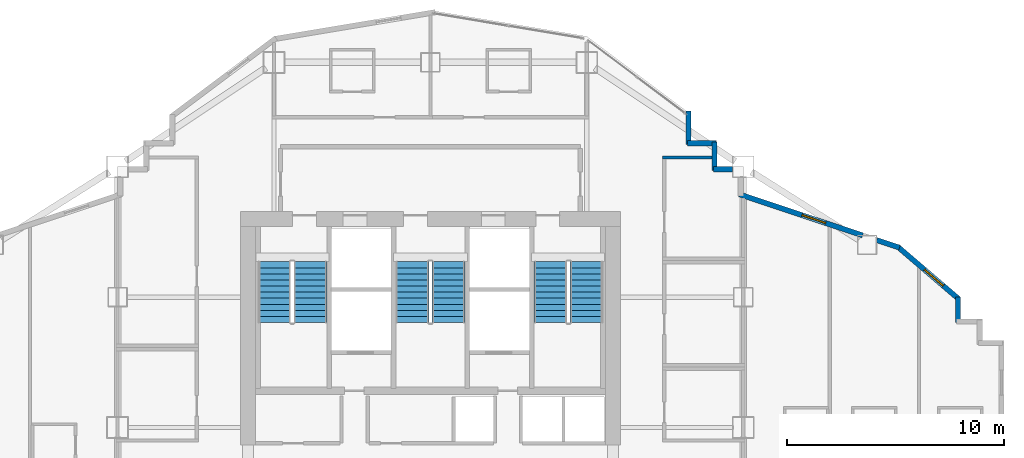
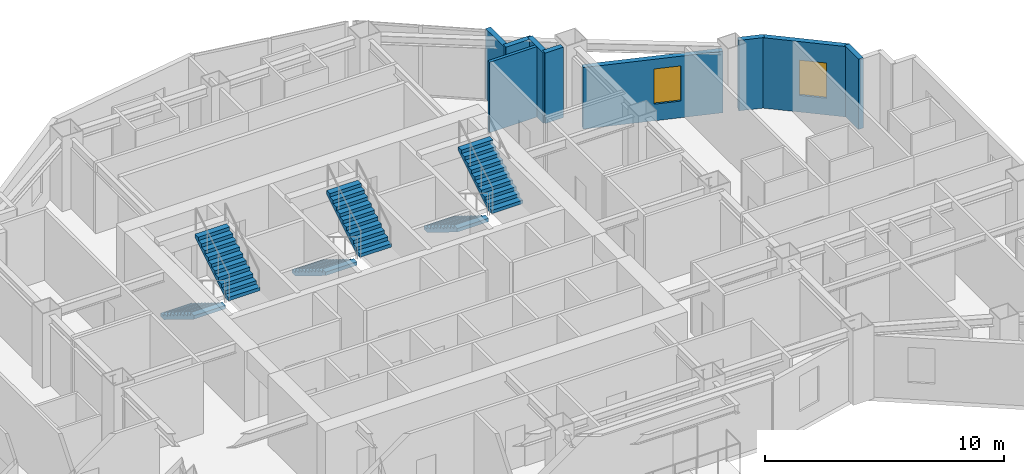
# One storey, part 11 of 13: 9 walls, 6 stair flights, 2 windows, 2 openings, 3 elements without a shape of their own.
"""IFC4 building model written with IfcOpenShell, lengths in metres."""

import ifcopenshell
import ifcopenshell.guid

model = None  # the IFC model being written
_history = None  # IfcOwnerHistory: only IFC2X3 demands one
_inside = {}  # id of a spatial element -> (the spatial element, [elements in it])
_under = {}  # id of a project, library or spatial element -> (it, [spatial elements below it])
_declared = {}  # id of a project -> (the project, [libraries it declares])
_typed = {}  # id of a type object -> (the type object, [elements of that type])
_made_of = {}  # id of a material, layer set ... -> (it, [elements and type objects made of it])


def new_model(schema):
    """Start an empty IFC model of exactly this schema.

    Asked for "IFC4X3", IfcOpenShell would pick the latest addendum, in which some entities
    have other attributes; the version numbers below select the first issue.
    IFC2X3 requires an IfcOwnerHistory on every rooted entity: one is made here for all.
    """
    global model, _history
    if schema == "IFC4X3":
        model = ifcopenshell.file(schema_version=(4, 3, 0, 0))
    else:
        model = ifcopenshell.file(schema=schema)
    _inside.clear()
    _under.clear()
    _declared.clear()
    _typed.clear()
    _made_of.clear()
    _history = None
    if model.schema == "IFC2X3":
        org = make("IfcOrganization", Name="unknown")
        user = make(
            "IfcPersonAndOrganization",
            ThePerson=make("IfcPerson", FamilyName="unknown"),
            TheOrganization=org,
        )
        app = make(
            "IfcApplication",
            ApplicationDeveloper=org,
            Version="unknown",
            ApplicationFullName="unknown",
            ApplicationIdentifier="unknown",
        )
        _history = make(
            "IfcOwnerHistory",
            OwningUser=user,
            OwningApplication=app,
            ChangeAction="ADDED",
            CreationDate=0,
        )
    return model


def make(cls, **values):
    """One entity of the class cls with the attributes given. An attribute that is None is left unset."""
    return model.create_entity(
        cls, **{name: value for name, value in values.items() if value is not None}
    )


def rooted(cls, **values):
    """An entity with a GlobalId (a new one), such as an element, a storey or a relation."""
    return make(cls, GlobalId=ifcopenshell.guid.new(), OwnerHistory=_history, **values)


def si_unit(unit_type, name, prefix=None):
    """IfcSIUnit, for example si_unit("LENGTHUNIT", "METRE", prefix="MILLI")."""
    return make("IfcSIUnit", UnitType=unit_type, Prefix=prefix, Name=name)


def assignment(units):
    """IfcUnitAssignment: the units of a project."""
    return None if units is None else make("IfcUnitAssignment", Units=units)


def point(xyz):
    """IfcCartesianPoint."""
    return None if xyz is None else make("IfcCartesianPoint", Coordinates=xyz)


def direction(xyz):
    """IfcDirection."""
    return None if xyz is None else make("IfcDirection", DirectionRatios=xyz)


def frame(location, z_axis=None, x_axis=None):
    """IfcAxis2Placement3D, a coordinate frame: its origin and axes. An axis left out is left unset."""
    return make(
        "IfcAxis2Placement3D",
        Location=point(location),
        Axis=direction(z_axis),
        RefDirection=direction(x_axis),
    )


def frame_2d(location, x_axis=None):
    """IfcAxis2Placement2D, a coordinate frame in the plane: its origin and x axis."""
    return make(
        "IfcAxis2Placement2D", Location=point(location), RefDirection=direction(x_axis)
    )


def origin():
    """The frame at (0, 0, 0) with its axes left unset."""
    return frame((0.0, 0.0, 0.0))


def place(relative_to, where):
    """IfcLocalPlacement: puts the frame where relative to a parent placement (None: the world)."""
    return make(
        "IfcLocalPlacement", PlacementRelTo=relative_to, RelativePlacement=where
    )


def context(
    kind, dimensions, precision=None, world=None, true_north=None, identifier=None
):
    """IfcGeometricRepresentationContext, for example the 3D "Model" context."""
    return make(
        "IfcGeometricRepresentationContext",
        ContextIdentifier=identifier,
        ContextType=kind,
        CoordinateSpaceDimension=dimensions,
        Precision=precision,
        WorldCoordinateSystem=world,
        TrueNorth=true_north,
    )


def subcontext(parent, identifier, kind, view, scale=None):
    """IfcGeometricRepresentationSubContext, for example "Body" below "Model"."""
    return make(
        "IfcGeometricRepresentationSubContext",
        ContextIdentifier=identifier,
        ContextType=kind,
        ParentContext=parent,
        TargetScale=scale,
        TargetView=view,
    )


def project(units=None, contexts=None):
    """IfcProject with its units and contexts."""
    return rooted(
        "IfcProject",
        Name="project",
        RepresentationContexts=contexts,
        UnitsInContext=assignment(units),
    )


def spatial(cls, under=None, at=None, **own):
    """A site, building, storey or space (cls), placed at a placement, below another one or the project."""
    s = rooted(cls, ObjectPlacement=at, **own)
    if under is not None:
        _under.setdefault(under.id(), (under, []))[1].append(s)
    return s


def polyline(points):
    """IfcPolyline through the points."""
    return make("IfcPolyline", Points=[point(p) for p in points])


def profile(cls, at=None, kind="AREA", **sizes):
    """A parametric profile (cls). Its sizes go by their IFC names, for example OverallWidth=200.0."""
    return make(cls, ProfileType=kind, Position=at, **sizes)


def rectangle(**sizes):
    """IfcRectangleProfileDef."""
    return profile("IfcRectangleProfileDef", **sizes)


def outline(outer, holes=None, kind="AREA"):
    """IfcArbitraryClosedProfileDef: a profile drawn as a closed curve; with holes, ...WithVoids."""
    if holes is None:
        return make("IfcArbitraryClosedProfileDef", ProfileType=kind, OuterCurve=outer)
    return make(
        "IfcArbitraryProfileDefWithVoids",
        ProfileType=kind,
        OuterCurve=outer,
        InnerCurves=holes,
    )


def extrude(swept, where, along, depth):
    """IfcExtrudedAreaSolid: the profile swept, set in the frame where, extruded along a direction by depth."""
    return make(
        "IfcExtrudedAreaSolid",
        SweptArea=swept,
        Position=where,
        ExtrudedDirection=direction(along),
        Depth=depth,
    )


def shape(context_of_items, identifier, shape_type, items):
    """IfcShapeRepresentation: the items that make up one representation, for example the "Body"."""
    return make(
        "IfcShapeRepresentation",
        ContextOfItems=context_of_items,
        RepresentationIdentifier=identifier,
        RepresentationType=shape_type,
        Items=items,
    )


def material(Name=None, Category=None):
    """IfcMaterial."""
    return make("IfcMaterial", Name=Name, Category=Category)


def layer(
    of_material, thickness, ventilated=None, Name=None, Category=None, Priority=None
):
    """IfcMaterialLayer: one layer of a wall or slab, of a material (None: an air gap)."""
    return make(
        "IfcMaterialLayer",
        Material=of_material,
        LayerThickness=thickness,
        IsVentilated=ventilated,
        Name=Name,
        Category=Category,
        Priority=Priority,
    )


def layer_set(layers, Name=None):
    """IfcMaterialLayerSet."""
    return make("IfcMaterialLayerSet", MaterialLayers=layers, LayerSetName=Name)


def made_of(thing, what):
    """Note that an element or type object is made of a material, layer set ...; save() writes the relation."""
    if what is not None:
        _made_of.setdefault(what.id(), (what, []))[1].append(thing)
    return thing


def type_object(cls, material=None, **own):
    """A type object (cls), such as IfcWallType, which elements share."""
    return made_of(rooted(cls, **own), material)


def element(
    cls,
    number,
    at=None,
    inside=None,
    cuts=None,
    type_object=None,
    material=None,
    context=None,
    identifier="Body",
    shape_type=None,
    held_by="IfcProductDefinitionShape",
    body=None,
    shapes=None,
    **own,
):
    """One element of the class cls, such as IfcWall. Its Tag is "e" and its number.

    at: its placement. inside: the storey or other place that contains it. cuts: it is an
    opening in that element (IfcRelVoidsElement). A single representation is given by context,
    identifier, shape_type and body (its items); several are given by shapes. held_by: the class
    of the entity that holds the representations. save() writes the other relations.
    """
    e = rooted(cls, Tag="e%d" % number, ObjectPlacement=at, **own)
    if body is not None:
        shapes = [shape(context, identifier, shape_type, body)]
    if shapes is not None:
        e.Representation = make(held_by, Representations=shapes)
    if inside is not None:
        _inside.setdefault(inside.id(), (inside, []))[1].append(e)
    if cuts is not None:
        rooted(
            "IfcRelVoidsElement", RelatingBuildingElement=cuts, RelatedOpeningElement=e
        )
    if type_object is not None:
        _typed.setdefault(type_object.id(), (type_object, []))[1].append(e)
    return made_of(e, material)


def fill(opening, filler):
    """IfcRelFillsElement: the door or window that sits in an opening."""
    return rooted(
        "IfcRelFillsElement",
        RelatingOpeningElement=opening,
        RelatedBuildingElement=filler,
    )


def aggregate(whole, parts):
    """IfcRelAggregates: a whole, such as a stair, and the parts it consists of."""
    return rooted("IfcRelAggregates", RelatingObject=whole, RelatedObjects=parts)


def save(model, path):
    """Write the relations noted so far, then the file.

    IfcRelAggregates (storeys below a building ...), IfcRelContainedInSpatialStructure (elements
    in a storey), IfcRelDefinesByType, IfcRelAssociatesMaterial and IfcRelDeclares: one each for
    every whole, place, type object, material and project.
    """
    for whole, parts in _under.values():
        aggregate(whole, parts)
    for where, things in _inside.values():
        rooted(
            "IfcRelContainedInSpatialStructure",
            RelatedElements=things,
            RelatingStructure=where,
        )
    for kind, things in _typed.values():
        rooted("IfcRelDefinesByType", RelatedObjects=things, RelatingType=kind)
    for what, things in _made_of.values():
        rooted("IfcRelAssociatesMaterial", RelatedObjects=things, RelatingMaterial=what)
    for by, libraries in _declared.values():
        rooted("IfcRelDeclares", RelatingContext=by, RelatedDefinitions=libraries)
    model.write(path)


model = new_model("IFC4")

# Units and contexts
model_context = context("Model", 3, precision=1e-05, world=origin(), true_north=direction((0.0, 1.0)))
body_context = subcontext(model_context, "Body", "Model", "MODEL_VIEW")
ifc_project = project(units=[si_unit("LENGTHUNIT", "METRE"), si_unit("AREAUNIT", "SQUARE_METRE"), si_unit("VOLUMEUNIT", "CUBIC_METRE"), si_unit("PLANEANGLEUNIT", "RADIAN"), si_unit("MASSUNIT", "GRAM", prefix="KILO")], contexts=[model_context])

# Site, building, storey
site_placement = place(None, origin())
site = spatial("IfcSite", under=ifc_project, at=site_placement, CompositionType="ELEMENT")
building_placement = place(site_placement, origin())
building = spatial("IfcBuilding", under=site, at=building_placement, Name="Haolan Belvedere Tower", CompositionType="ELEMENT")
storey_placement = place(building_placement, frame((0.0, 0.0, 117.39990234375)))
storey = spatial("IfcBuildingStorey", under=building, at=storey_placement, Name="L29", CompositionType="ELEMENT", Elevation=117.39990234375)

# Wall
ifc_material_1 = material(Name="Precast concrete C40/50", Category="concrete")
ifc_layer_1 = layer(ifc_material_1, 0.239990234375, Name="Precast concrete C40/50")
ifc_layer_set_1 = layer_set([ifc_layer_1], Name="Precast concrete C40/50")
wall_type_1 = type_object("IfcWallType", Name="WL-EXT-240", PredefinedType="SOLIDWALL", material=ifc_layer_set_1)
wall_1_placement = place(storey_placement, frame((62.679931640625, 38.425048828125, 0.0), z_axis=(0.0, 0.0, 1.0), x_axis=(0.0, 1.0, 0.0)))
element("IfcWall", 1, at=wall_1_placement, inside=storey, type_object=wall_type_1, Name="L29 pale-metal exterior spandrel wall 18.1", PredefinedType="SOLIDWALL", context=body_context, shape_type="SweptSolid", body=[
    extrude(rectangle(XDim=1.1748046875, YDim=0.239990234375, at=frame_2d((0.58740234375, 0.0))), origin(), (0.0, 0.0, 1.0), 3.60009765625),
])

# Wall, opening, window
wall_2_placement = place(storey_placement, frame((62.7216796875, 39.509033203125, 0.0), z_axis=(0.0, 0.0, 1.0), x_axis=(-0.759247334792, 0.650802185469, 0.0)))
wall_2 = element("IfcWall", 2, at=wall_2_placement, inside=storey, type_object=wall_type_1, Name="L29 pale-metal exterior spandrel wall 19.1", PredefinedType="SOLIDWALL", context=body_context, shape_type="SweptSolid", body=[
    extrude(rectangle(XDim=3.71923828125, YDim=0.239990234375, at=frame_2d((1.859619140625, 0.0))), origin(), (0.0, 0.0, 1.0), 3.60009765625),
])
opening_1_placement = place(wall_2_placement, frame((0.9375, 0.0, 0.85009765625)))
opening_1 = element("IfcOpeningElement", 3, at=opening_1_placement, cuts=wall_2, Name="Opening W-02", PredefinedType="OPENING", context=body_context, shape_type="SweptSolid", body=[
    extrude(rectangle(XDim=1.14990234375, YDim=1.800048828125, at=frame_2d((0.574951171875, 0.89990234375))), frame((0.0, 0.1298828125, 0.0), z_axis=(0.0, -1.0, 0.0), x_axis=(1.0, 0.0, 0.0)), (0.0, 0.0, 1.0), 0.260009765625),
])
ifc_material_2 = material(Name="Anodised aluminium 6063-T6 and Low-E glass", Category="aluminium")
window_type = type_object("IfcWindowType", Name="WN-DECO-Z2", PartitioningType="SINGLE_PANEL", PredefinedType="WINDOW", material=ifc_material_2)
window_1_placement = place(opening_1_placement, origin())
window_1 = element("IfcWindow", 4, at=window_1_placement, inside=storey, type_object=window_type, Name="L29 Art Deco chevron window 1", OverallHeight=1.800048828125, OverallWidth=1.14990234375, PartitioningType="SINGLE_PANEL", PredefinedType="WINDOW", context=body_context, shape_type="SweptSolid", body=[
    extrude(rectangle(XDim=1.14990234375, YDim=1.800048828125, at=frame_2d((0.574951171875, 0.89990234375))), frame((0.0, 0.030029296875, 0.0), z_axis=(0.0, -1.0, 0.0), x_axis=(1.0, 0.0, 0.0)), (0.0, 0.0, 1.0), 0.06005859375),
])
fill(opening_1, window_1)

# Wall
wall_3_placement = place(storey_placement, frame((59.991943359375, 41.876220703125, 0.0), z_axis=(0.0, 0.0, 1.0), x_axis=(-0.948661238983, 0.316293935527, 0.0)))
element("IfcWall", 5, at=wall_3_placement, inside=storey, type_object=wall_type_1, Name="L29 pale-metal exterior spandrel wall 20.1", PredefinedType="SOLIDWALL", context=body_context, shape_type="SweptSolid", body=[
    extrude(rectangle(XDim=1.10693359375, YDim=0.239990234375, at=frame_2d((0.553466796875, 0.0))), origin(), (0.0, 0.0, 1.0), 3.60009765625),
])

# Wall, opening, window
wall_4_placement = place(storey_placement, frame((58.294677734375, 42.44189453125, 0.0), z_axis=(0.0, 0.0, 1.0), x_axis=(-0.948687385027, 0.316215504823, 0.0)))
wall_4 = element("IfcWall", 6, at=wall_4_placement, inside=storey, type_object=wall_type_1, Name="L29 pale-metal exterior spandrel wall 20.2", PredefinedType="SOLIDWALL", context=body_context, shape_type="SweptSolid", body=[
    extrude(rectangle(XDim=5.973388671875, YDim=0.239990234375, at=frame_2d((2.98681640625, 0.0))), origin(), (0.0, 0.0, 1.0), 3.14501953125),
])
opening_2_placement = place(wall_4_placement, frame((1.79638671875, 0.0, 0.85009765625)))
opening_2 = element("IfcOpeningElement", 7, at=opening_2_placement, cuts=wall_4, Name="Opening W-02", PredefinedType="OPENING", context=body_context, shape_type="SweptSolid", body=[
    extrude(rectangle(XDim=1.14990234375, YDim=1.800048828125, at=frame_2d((0.574951171875, 0.89990234375))), frame((0.0, 0.1298828125, 0.0), z_axis=(0.0, -1.0, 0.0), x_axis=(1.0, 0.0, 0.0)), (0.0, 0.0, 1.0), 0.260009765625),
])
window_2_placement = place(opening_2_placement, origin())
window_2 = element("IfcWindow", 8, at=window_2_placement, inside=storey, type_object=window_type, Name="L29 Art Deco chevron window 1", OverallHeight=1.800048828125, OverallWidth=1.14990234375, PartitioningType="SINGLE_PANEL", PredefinedType="WINDOW", context=body_context, shape_type="SweptSolid", body=[
    extrude(rectangle(XDim=1.14990234375, YDim=1.800048828125, at=frame_2d((0.574951171875, 0.89990234375))), frame((0.0, 0.030029296875, 0.0), z_axis=(0.0, -1.0, 0.0), x_axis=(1.0, 0.0, 0.0)), (0.0, 0.0, 1.0), 0.06005859375),
])
fill(opening_2, window_2)

# Walls
wall_5_placement = place(storey_placement, frame((52.30810546875, 45.47998046875, 0.0), z_axis=(0.0, 0.0, 1.0), x_axis=(-1.0, 0.0, 0.0)))
element("IfcWall", 9, at=wall_5_placement, inside=storey, type_object=wall_type_1, Name="L29 pale-metal exterior spandrel wall 22.1", PredefinedType="SOLIDWALL", context=body_context, shape_type="SweptSolid", body=[
    extrude(rectangle(XDim=0.883056640625, YDim=0.239990234375, at=frame_2d((0.44140625, 0.0))), origin(), (0.0, 0.0, 1.0), 3.60009765625),
])
wall_6_placement = place(storey_placement, frame((51.47998046875, 45.425048828125, 0.0), z_axis=(0.0, 0.0, 1.0), x_axis=(0.0, 1.0, 0.0)))
element("IfcWall", 10, at=wall_6_placement, inside=storey, type_object=wall_type_1, Name="L29 pale-metal exterior spandrel wall 23.1", PredefinedType="SOLIDWALL", context=body_context, shape_type="SweptSolid", body=[
    extrude(rectangle(XDim=1.31005859375, YDim=0.239990234375, at=frame_2d((0.655029296875, 0.0))), origin(), (0.0, 0.0, 1.0), 3.60009765625),
])
wall_7_placement = place(storey_placement, frame((51.534912109375, 46.679931640625, 0.0), z_axis=(0.0, 0.0, 1.0), x_axis=(-1.0, 0.0, 0.0)))
element("IfcWall", 11, at=wall_7_placement, inside=storey, type_object=wall_type_1, Name="L29 pale-metal exterior spandrel wall 24.1", PredefinedType="SOLIDWALL", context=body_context, shape_type="SweptSolid", body=[
    extrude(rectangle(XDim=1.309814453125, YDim=0.239990234375, at=frame_2d((0.65478515625, 0.0))), origin(), (0.0, 0.0, 1.0), 3.60009765625),
])
wall_8_placement = place(storey_placement, frame((50.280029296875, 46.625, 0.0), z_axis=(0.0, 0.0, 1.0), x_axis=(0.0, 1.0, 0.0)))
element("IfcWall", 12, at=wall_8_placement, inside=storey, type_object=wall_type_1, Name="L29 pale-metal exterior spandrel wall 25.1", PredefinedType="SOLIDWALL", context=body_context, shape_type="SweptSolid", body=[
    extrude(rectangle(XDim=1.5400390625, YDim=0.239990234375, at=frame_2d((0.77001953125, 0.0))), origin(), (0.0, 0.0, 1.0), 3.60009765625),
])
ifc_material_3 = material(Name="Double gypsum acoustic stud partition", Category="masonry")
ifc_layer_2 = layer(ifc_material_3, 0.14990234375, Name="Double gypsum acoustic stud partition")
ifc_layer_set_2 = layer_set([ifc_layer_2], Name="Double gypsum acoustic stud partition")
wall_type_2 = type_object("IfcWallType", Name="WL-PART-150", PredefinedType="PARTITIONING", material=ifc_layer_set_2)
wall_9_placement = place(storey_placement, frame((49.080078125, 46.02001953125, 0.0), z_axis=(0.0, 0.0, 1.0), x_axis=(1.0, 0.0, 0.0)))
element("IfcWall", 13, at=wall_9_placement, inside=storey, type_object=wall_type_2, Name="L29 interior partition IW-L29-PNT-N", PredefinedType="PARTITIONING", context=body_context, shape_type="SweptSolid", body=[
    extrude(rectangle(XDim=2.294921875, YDim=0.14990234375, at=frame_2d((1.1474609375, 0.0))), origin(), (0.0, 0.0, 1.0), 3.60009765625),
])

# Stair, stair flights
ifc_material_4 = material(Name="Concrete C40/50", Category="concrete")
stair_type = type_object("IfcStairType", Name="STR-DL-22R-173", PredefinedType="HALF_TURN_STAIR", material=ifc_material_4)
stair_1_placement = place(storey_placement, origin())
stair_1 = element("IfcStair", 14, at=stair_1_placement, inside=storey, type_object=stair_type, Name="L29 Smokeproof Core Exit Stair ST1", PredefinedType="HALF_TURN_STAIR")
stair_flight_type = type_object("IfcStairFlightType", Name="SFL-DL-11R-173", PredefinedType="STRAIGHT", material=ifc_material_4)
stair_flight_1_placement = place(storey_placement, frame((31.2099609375, 41.22998046875, 0.0), z_axis=(0.0, 0.0, 1.0), x_axis=(0.0, -1.0, 0.0)))
stair_flight_1 = element("IfcStairFlight", 15, at=stair_flight_1_placement, type_object=stair_flight_type, Name="ST1 flight 1", NumberOfRisers=11, NumberOfTreads=10, PredefinedType="STRAIGHT", RiserHeight=0.172727273, TreadLength=0.28, context=body_context, shape_type="SweptSolid", body=[
    extrude(outline(polyline([(0.0, 0.0), (0.0, 0.172607421875), (0.280029296875, 0.172607421875), (0.280029296875, 0.345458984375), (0.56005859375, 0.345458984375), (0.56005859375, 0.51806640625), (0.840087890625, 0.51806640625), (0.840087890625, 0.69091796875), (1.1201171875, 0.69091796875), (1.1201171875, 0.863525390625), (1.39990234375, 0.863525390625), (1.39990234375, 1.036376953125), (1.679931640625, 1.036376953125), (1.679931640625, 1.208984375), (1.9599609375, 1.208984375), (1.9599609375, 1.3818359375), (2.239990234375, 1.3818359375), (2.239990234375, 1.554443359375), (2.52001953125, 1.554443359375), (2.52001953125, 1.727294921875), (2.800048828125, 1.727294921875), (2.800048828125, 1.89990234375), (2.800048828125, 1.551025390625), (0.285400390625, 0.0), (0.0, 0.0)])), frame((0.0, 0.760009765625, 0.0), z_axis=(0.0, -1.0, 0.0), x_axis=(1.0, 0.0, 0.0)), (0.0, 0.0, 1.0), 1.52001953125),
])
stair_flight_2_placement = place(storey_placement, frame((32.8701171875, 38.429931640625, 1.900146484375), z_axis=(0.0, 0.0, 1.0), x_axis=(0.0, 1.0, 0.0)))
stair_flight_2 = element("IfcStairFlight", 16, at=stair_flight_2_placement, type_object=stair_flight_type, Name="ST1 flight 2", NumberOfRisers=11, NumberOfTreads=10, PredefinedType="STRAIGHT", RiserHeight=0.172727273, TreadLength=0.28, context=body_context, shape_type="SweptSolid", body=[
    extrude(outline(polyline([(0.0, 0.0), (0.0, 0.172607421875), (0.280029296875, 0.172607421875), (0.280029296875, 0.345458984375), (0.56005859375, 0.345458984375), (0.56005859375, 0.51806640625), (0.840087890625, 0.51806640625), (0.840087890625, 0.69091796875), (1.1201171875, 0.69091796875), (1.1201171875, 0.863525390625), (1.39990234375, 0.863525390625), (1.39990234375, 1.036376953125), (1.679931640625, 1.036376953125), (1.679931640625, 1.208984375), (1.9599609375, 1.208984375), (1.9599609375, 1.3818359375), (2.239990234375, 1.3818359375), (2.239990234375, 1.554443359375), (2.52001953125, 1.554443359375), (2.52001953125, 1.727294921875), (2.800048828125, 1.727294921875), (2.800048828125, 1.89990234375), (2.800048828125, 1.551025390625), (0.285400390625, 0.0), (0.0, 0.0)])), frame((0.0, 0.760009765625, 0.0), z_axis=(0.0, -1.0, 0.0), x_axis=(1.0, 0.0, 0.0)), (0.0, 0.0, 1.0), 1.52001953125),
])
aggregate(stair_1, [stair_flight_1, stair_flight_2])

stair_2_placement = place(storey_placement, origin())
stair_2 = element("IfcStair", 17, at=stair_2_placement, inside=storey, type_object=stair_type, Name="L29 Smokeproof Core Exit Stair ST3", PredefinedType="HALF_TURN_STAIR")
stair_flight_3_placement = place(storey_placement, frame((37.570068359375, 41.22998046875, 0.0), z_axis=(0.0, 0.0, 1.0), x_axis=(0.0, -1.0, 0.0)))
stair_flight_3 = element("IfcStairFlight", 18, at=stair_flight_3_placement, type_object=stair_flight_type, Name="ST3 flight 1", NumberOfRisers=11, NumberOfTreads=10, PredefinedType="STRAIGHT", RiserHeight=0.172727273, TreadLength=0.28, context=body_context, shape_type="SweptSolid", body=[
    extrude(outline(polyline([(0.0, 0.0), (0.0, 0.172607421875), (0.280029296875, 0.172607421875), (0.280029296875, 0.345458984375), (0.56005859375, 0.345458984375), (0.56005859375, 0.51806640625), (0.840087890625, 0.51806640625), (0.840087890625, 0.69091796875), (1.1201171875, 0.69091796875), (1.1201171875, 0.863525390625), (1.39990234375, 0.863525390625), (1.39990234375, 1.036376953125), (1.679931640625, 1.036376953125), (1.679931640625, 1.208984375), (1.9599609375, 1.208984375), (1.9599609375, 1.3818359375), (2.239990234375, 1.3818359375), (2.239990234375, 1.554443359375), (2.52001953125, 1.554443359375), (2.52001953125, 1.727294921875), (2.800048828125, 1.727294921875), (2.800048828125, 1.89990234375), (2.800048828125, 1.551025390625), (0.285400390625, 0.0), (0.0, 0.0)])), frame((0.0, 0.760009765625, 0.0), z_axis=(0.0, -1.0, 0.0), x_axis=(1.0, 0.0, 0.0)), (0.0, 0.0, 1.0), 1.52001953125),
])
stair_flight_4_placement = place(storey_placement, frame((39.22998046875, 38.429931640625, 1.900146484375), z_axis=(0.0, 0.0, 1.0), x_axis=(0.0, 1.0, 0.0)))
stair_flight_4 = element("IfcStairFlight", 19, at=stair_flight_4_placement, type_object=stair_flight_type, Name="ST3 flight 2", NumberOfRisers=11, NumberOfTreads=10, PredefinedType="STRAIGHT", RiserHeight=0.172727273, TreadLength=0.28, context=body_context, shape_type="SweptSolid", body=[
    extrude(outline(polyline([(0.0, 0.0), (0.0, 0.172607421875), (0.280029296875, 0.172607421875), (0.280029296875, 0.345458984375), (0.56005859375, 0.345458984375), (0.56005859375, 0.51806640625), (0.840087890625, 0.51806640625), (0.840087890625, 0.69091796875), (1.1201171875, 0.69091796875), (1.1201171875, 0.863525390625), (1.39990234375, 0.863525390625), (1.39990234375, 1.036376953125), (1.679931640625, 1.036376953125), (1.679931640625, 1.208984375), (1.9599609375, 1.208984375), (1.9599609375, 1.3818359375), (2.239990234375, 1.3818359375), (2.239990234375, 1.554443359375), (2.52001953125, 1.554443359375), (2.52001953125, 1.727294921875), (2.800048828125, 1.727294921875), (2.800048828125, 1.89990234375), (2.800048828125, 1.551025390625), (0.285400390625, 0.0), (0.0, 0.0)])), frame((0.0, 0.760009765625, 0.0), z_axis=(0.0, -1.0, 0.0), x_axis=(1.0, 0.0, 0.0)), (0.0, 0.0, 1.0), 1.52001953125),
])
aggregate(stair_2, [stair_flight_3, stair_flight_4])

stair_3_placement = place(storey_placement, origin())
stair_3 = element("IfcStair", 20, at=stair_3_placement, inside=storey, type_object=stair_type, Name="L29 Smokeproof Core Exit Stair ST2", PredefinedType="HALF_TURN_STAIR")
stair_flight_5_placement = place(storey_placement, frame((43.929931640625, 41.22998046875, 0.0), z_axis=(0.0, 0.0, 1.0), x_axis=(0.0, -1.0, 0.0)))
stair_flight_5 = element("IfcStairFlight", 21, at=stair_flight_5_placement, type_object=stair_flight_type, Name="ST2 flight 1", NumberOfRisers=11, NumberOfTreads=10, PredefinedType="STRAIGHT", RiserHeight=0.172727273, TreadLength=0.28, context=body_context, shape_type="SweptSolid", body=[
    extrude(outline(polyline([(0.0, 0.0), (0.0, 0.172607421875), (0.280029296875, 0.172607421875), (0.280029296875, 0.345458984375), (0.56005859375, 0.345458984375), (0.56005859375, 0.51806640625), (0.840087890625, 0.51806640625), (0.840087890625, 0.69091796875), (1.1201171875, 0.69091796875), (1.1201171875, 0.863525390625), (1.39990234375, 0.863525390625), (1.39990234375, 1.036376953125), (1.679931640625, 1.036376953125), (1.679931640625, 1.208984375), (1.9599609375, 1.208984375), (1.9599609375, 1.3818359375), (2.239990234375, 1.3818359375), (2.239990234375, 1.554443359375), (2.52001953125, 1.554443359375), (2.52001953125, 1.727294921875), (2.800048828125, 1.727294921875), (2.800048828125, 1.89990234375), (2.800048828125, 1.551025390625), (0.285400390625, 0.0), (0.0, 0.0)])), frame((0.0, 0.760009765625, 0.0), z_axis=(0.0, -1.0, 0.0), x_axis=(1.0, 0.0, 0.0)), (0.0, 0.0, 1.0), 1.52001953125),
])
stair_flight_6_placement = place(storey_placement, frame((45.590087890625, 38.429931640625, 1.900146484375), z_axis=(0.0, 0.0, 1.0), x_axis=(0.0, 1.0, 0.0)))
stair_flight_6 = element("IfcStairFlight", 22, at=stair_flight_6_placement, type_object=stair_flight_type, Name="ST2 flight 2", NumberOfRisers=11, NumberOfTreads=10, PredefinedType="STRAIGHT", RiserHeight=0.172727273, TreadLength=0.28, context=body_context, shape_type="SweptSolid", body=[
    extrude(outline(polyline([(0.0, 0.0), (0.0, 0.172607421875), (0.280029296875, 0.172607421875), (0.280029296875, 0.345458984375), (0.56005859375, 0.345458984375), (0.56005859375, 0.51806640625), (0.840087890625, 0.51806640625), (0.840087890625, 0.69091796875), (1.1201171875, 0.69091796875), (1.1201171875, 0.863525390625), (1.39990234375, 0.863525390625), (1.39990234375, 1.036376953125), (1.679931640625, 1.036376953125), (1.679931640625, 1.208984375), (1.9599609375, 1.208984375), (1.9599609375, 1.3818359375), (2.239990234375, 1.3818359375), (2.239990234375, 1.554443359375), (2.52001953125, 1.554443359375), (2.52001953125, 1.727294921875), (2.800048828125, 1.727294921875), (2.800048828125, 1.89990234375), (2.800048828125, 1.551025390625), (0.285400390625, 0.0), (0.0, 0.0)])), frame((0.0, 0.760009765625, 0.0), z_axis=(0.0, -1.0, 0.0), x_axis=(1.0, 0.0, 0.0)), (0.0, 0.0, 1.0), 1.52001953125),
])
aggregate(stair_3, [stair_flight_5, stair_flight_6])

save(model, "model.ifc")
